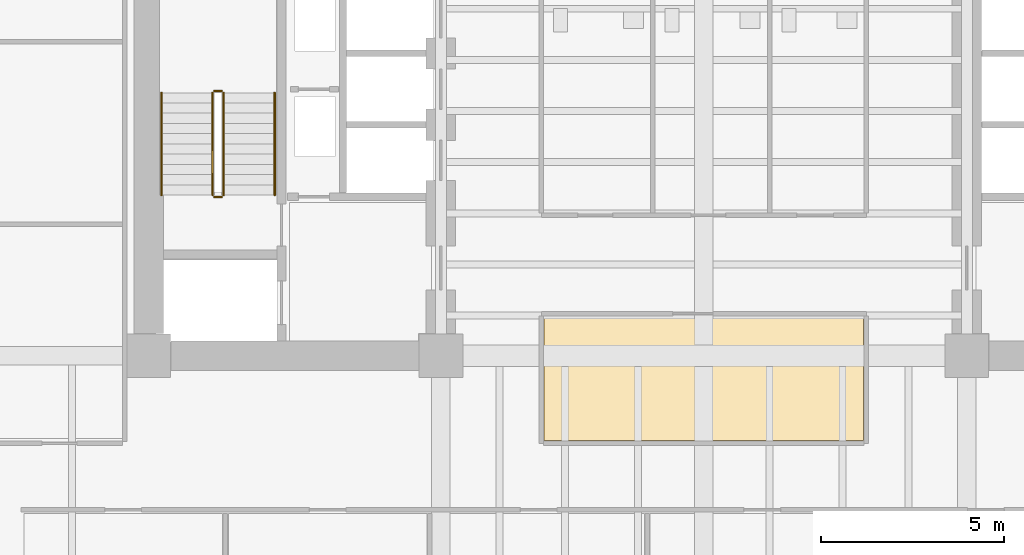
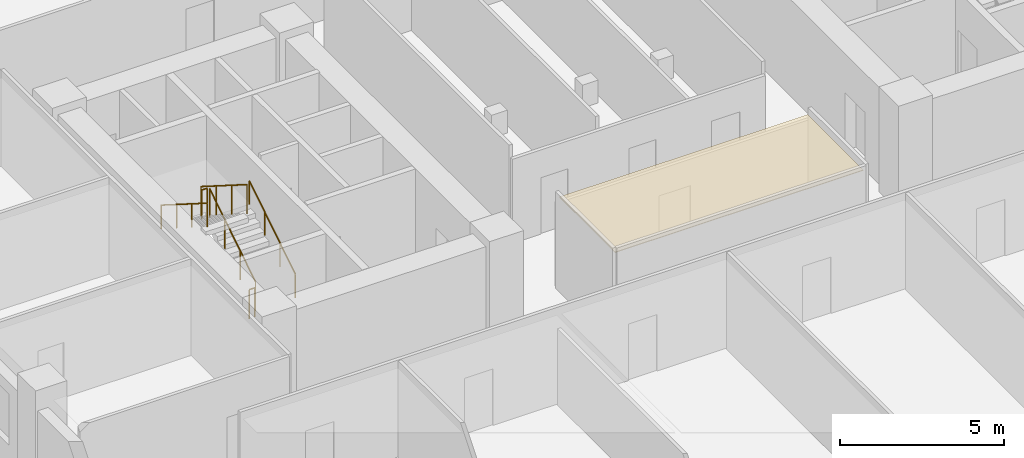
# One storey, part 7 of 10: 6 railings, 1 covering.
"""IFC4 building model written with IfcOpenShell, lengths in metres."""

from ifc_helpers import new_model, si_unit, direction, frame, origin, origin_2d, place, context, subcontext, project, spatial, polyline, circle, outline, extrude, material, layer, layer_set, type_object, element, save


model = new_model("IFC4")

# Units and contexts
model_context = context("Model", 3, precision=1e-05, world=origin(), true_north=direction((0.0, 1.0)))
body_context = subcontext(model_context, "Body", "Model", "MODEL_VIEW")
ifc_project = project(units=[si_unit("LENGTHUNIT", "METRE"), si_unit("AREAUNIT", "SQUARE_METRE"), si_unit("VOLUMEUNIT", "CUBIC_METRE"), si_unit("PLANEANGLEUNIT", "RADIAN"), si_unit("MASSUNIT", "GRAM", prefix="KILO")], contexts=[model_context])

# Site, building, storey
site_placement = place(None, origin())
site = spatial("IfcSite", under=ifc_project, at=site_placement, CompositionType="ELEMENT")
building_placement = place(site_placement, origin())
building = spatial("IfcBuilding", under=site, at=building_placement, Name="Kranthara Brick Stack", CompositionType="ELEMENT")
storey_placement = place(building_placement, frame((0.0, 0.0, 36.0)))
storey = spatial("IfcBuildingStorey", under=building, at=storey_placement, Name="L08", CompositionType="ELEMENT", Elevation=36.0)

# Covering
ifc_material_1 = material(Name="Perforated mineral-fibre acoustic ceiling tile", Category="other")
ifc_layer = layer(ifc_material_1, 0.02490234375)
ifc_layer_set = layer_set([ifc_layer], Name="Perforated mineral-fibre acoustic ceiling tile")
covering_type = type_object("IfcCoveringType", Name="COV-CEIL-ACOUSTIC", PredefinedType="CEILING", material=ifc_layer_set)
covering_placement = place(storey_placement, frame((0.0, 0.0, 3.330078125)))
element("IfcCovering", 1, at=covering_placement, inside=storey, type_object=covering_type, Name="L08 L08 Central Executive Briefing Room Acoustic Ceiling", PredefinedType="CEILING", context=body_context, shape_type="SweptSolid", body=[
    extrude(outline(polyline([(32.3701171875, 18.47998046875), (32.3701171875, 21.8798828125), (23.6298828125, 21.8798828125), (23.6298828125, 18.47998046875), (32.3701171875, 18.47998046875)])), origin(), (0.0, 0.0, 1.0), 0.02490234375),
])

# Railings
ifc_material_2 = material(Name="Painted galvanized steel stair guardrail", Category="steel")
railing_type_1 = type_object("IfcRailingType", Name="RL-STAIR-GUARD-1100", PredefinedType="GUARDRAIL", material=ifc_material_2)
railing_1_placement = place(storey_placement, frame((14.85009765625, 25.199951171875, 0.17724609375)))
element("IfcRailing", 2, at=railing_1_placement, inside=storey, type_object=railing_type_1, Name="L08 ST01 stair guard 1", PredefinedType="GUARDRAIL", context=body_context, shape_type="SweptSolid", body=[
    extrude(circle(Radius=0.02392578125, at=origin_2d()), frame((0.0, 0.0, 1.076171875), z_axis=(0.0, 0.844908973607, 0.534910110503), x_axis=(-1.0, 0.0, 0.0)), (0.0, 0.0, 1.0), 3.31396484375),
    extrude(circle(Radius=0.02099609375, at=origin_2d()), origin(), (0.0, 0.0, 1.0), 1.052001953125),
    extrude(circle(Radius=0.02099609375, at=origin_2d()), frame((0.0, 0.933349609375, 0.5908203125)), (0.0, 0.0, 1.0), 1.052001953125),
    extrude(circle(Radius=0.02099609375, at=origin_2d()), frame((0.0, 1.86669921875, 1.181884765625)), (0.0, 0.0, 1.0), 1.052001953125),
    extrude(circle(Radius=0.02099609375, at=origin_2d()), frame((0.0, 2.800048828125, 1.772705078125)), (0.0, 0.0, 1.0), 1.052001953125),
])
railing_2_placement = place(storey_placement, frame((14.800048828125, 28.050048828125, 1.949951171875)))
element("IfcRailing", 3, at=railing_2_placement, inside=storey, type_object=railing_type_1, Name="L08 ST01 stair guard 2", PredefinedType="GUARDRAIL", context=body_context, shape_type="SweptSolid", body=[
    extrude(circle(Radius=0.02392578125, at=origin_2d()), frame((0.0, 0.0, 1.076171875), z_axis=(-1.0, 0.0, 0.0), x_axis=(0.0, -1.0, 0.0)), (0.0, 0.0, 1.0), 0.199951171875),
    extrude(circle(Radius=0.02099609375, at=origin_2d()), origin(), (0.0, 0.0, 1.0), 1.052001953125),
    extrude(circle(Radius=0.02099609375, at=origin_2d()), frame((-0.199951171875, 0.0, 0.0)), (0.0, 0.0, 1.0), 1.052001953125),
])
railing_3_placement = place(storey_placement, frame((14.550048828125, 28.0, 2.127197265625)))
element("IfcRailing", 4, at=railing_3_placement, inside=storey, type_object=railing_type_1, Name="L08 ST01 stair guard 3", PredefinedType="GUARDRAIL", context=body_context, shape_type="SweptSolid", body=[
    extrude(circle(Radius=0.02392578125, at=origin_2d()), frame((0.0, 0.0, 1.076171875), z_axis=(0.0, -0.844908973607, 0.534910110503), x_axis=(1.0, 0.0, 0.0)), (0.0, 0.0, 1.0), 3.31396484375),
    extrude(circle(Radius=0.02099609375, at=origin_2d()), origin(), (0.0, 0.0, 1.0), 1.052001953125),
    extrude(circle(Radius=0.02099609375, at=origin_2d()), frame((0.0, -0.933349609375, 0.5908203125)), (0.0, 0.0, 1.0), 1.052001953125),
    extrude(circle(Radius=0.02099609375, at=origin_2d()), frame((0.0, -1.86669921875, 1.181884765625)), (0.0, 0.0, 1.0), 1.052001953125),
    extrude(circle(Radius=0.02099609375, at=origin_2d()), frame((0.0, -2.800048828125, 1.772705078125)), (0.0, 0.0, 1.0), 1.052001953125),
])
railing_4_placement = place(storey_placement, frame((14.800048828125, 25.14990234375, 0.0)))
element("IfcRailing", 5, at=railing_4_placement, inside=storey, type_object=railing_type_1, Name="L08 ST01 stair guard 4", PredefinedType="GUARDRAIL", context=body_context, shape_type="SweptSolid", body=[
    extrude(circle(Radius=0.02392578125, at=origin_2d()), frame((0.0, 0.0, 1.076171875), z_axis=(-1.0, 0.0, 0.0), x_axis=(0.0, -1.0, 0.0)), (0.0, 0.0, 1.0), 0.199951171875),
    extrude(circle(Radius=0.02099609375, at=origin_2d()), origin(), (0.0, 0.0, 1.0), 1.052001953125),
    extrude(circle(Radius=0.02099609375, at=origin_2d()), frame((-0.199951171875, 0.0, 0.0)), (0.0, 0.0, 1.0), 1.052001953125),
])
ifc_material_3 = material(Name="Brushed stainless steel tubular handrail", Category="steel")
railing_type_2 = type_object("IfcRailingType", Name="RL-STAIR-HAND-900", PredefinedType="HANDRAIL", material=ifc_material_3)
railing_5_placement = place(storey_placement, frame((16.25, 25.199951171875, 0.17724609375)))
element("IfcRailing", 6, at=railing_5_placement, inside=storey, type_object=railing_type_2, Name="L08 ST01 stair handrail 1", PredefinedType="HANDRAIL", context=body_context, shape_type="SweptSolid", body=[
    extrude(circle(Radius=0.02392578125, at=origin_2d()), frame((0.0, 0.0, 0.8759765625), z_axis=(0.0, 0.844908973607, 0.534910110503), x_axis=(-1.0, 0.0, 0.0)), (0.0, 0.0, 1.0), 3.31396484375),
    extrude(circle(Radius=0.02099609375, at=origin_2d()), origin(), (0.0, 0.0, 1.0), 0.851806640625),
    extrude(circle(Radius=0.02099609375, at=origin_2d()), frame((0.0, 0.933349609375, 0.5908203125)), (0.0, 0.0, 1.0), 0.851806640625),
    extrude(circle(Radius=0.02099609375, at=origin_2d()), frame((0.0, 1.86669921875, 1.181884765625)), (0.0, 0.0, 1.0), 0.851806640625),
    extrude(circle(Radius=0.02099609375, at=origin_2d()), frame((0.0, 2.800048828125, 1.772705078125)), (0.0, 0.0, 1.0), 0.851806640625),
])
railing_6_placement = place(storey_placement, frame((13.14990234375, 28.0, 2.127197265625)))
element("IfcRailing", 7, at=railing_6_placement, inside=storey, type_object=railing_type_2, Name="L08 ST01 stair handrail 2", PredefinedType="HANDRAIL", context=body_context, shape_type="SweptSolid", body=[
    extrude(circle(Radius=0.02392578125, at=origin_2d()), frame((0.0, 0.0, 0.8759765625), z_axis=(0.0, -0.844908973607, 0.534910110503), x_axis=(1.0, 0.0, 0.0)), (0.0, 0.0, 1.0), 3.31396484375),
    extrude(circle(Radius=0.02099609375, at=origin_2d()), origin(), (0.0, 0.0, 1.0), 0.851806640625),
    extrude(circle(Radius=0.02099609375, at=origin_2d()), frame((0.0, -0.933349609375, 0.5908203125)), (0.0, 0.0, 1.0), 0.851806640625),
    extrude(circle(Radius=0.02099609375, at=origin_2d()), frame((0.0, -1.86669921875, 1.181884765625)), (0.0, 0.0, 1.0), 0.851806640625),
    extrude(circle(Radius=0.02099609375, at=origin_2d()), frame((0.0, -2.800048828125, 1.772705078125)), (0.0, 0.0, 1.0), 0.851806640625),
])

save(model, "model.ifc")
